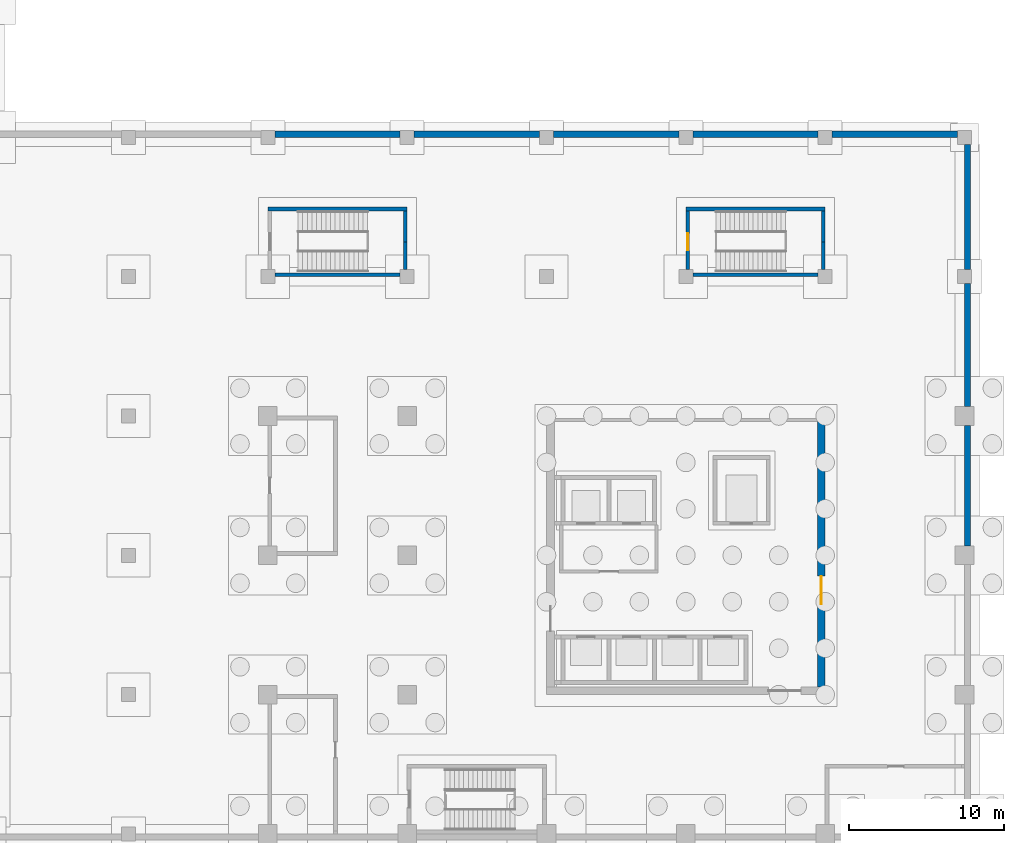
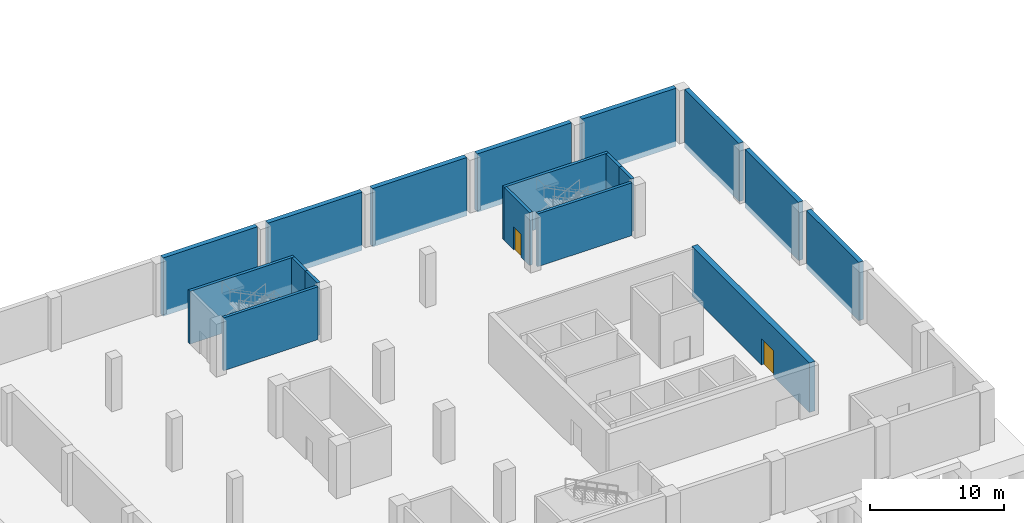
# One storey, part 13 of 17: 18 walls, 2 doors, 2 openings.
"""IFC4 building model written with IfcOpenShell, lengths in metres."""

from ifc_helpers import new_model, si_unit, direction, frame, frame_2d, origin, place, context, subcontext, project, spatial, rectangle, extrude, material, layer, layer_set, type_object, element, fill, save


model = new_model("IFC4")

# Units and contexts
model_context = context("Model", 3, precision=1e-05, world=origin(), true_north=direction((0.0, 1.0)))
body_context = subcontext(model_context, "Body", "Model", "MODEL_VIEW")
ifc_project = project(units=[si_unit("LENGTHUNIT", "METRE"), si_unit("AREAUNIT", "SQUARE_METRE"), si_unit("VOLUMEUNIT", "CUBIC_METRE"), si_unit("PLANEANGLEUNIT", "RADIAN"), si_unit("MASSUNIT", "GRAM", prefix="KILO")], contexts=[model_context])

# Site, building, storey
site_placement = place(None, origin())
site = spatial("IfcSite", under=ifc_project, at=site_placement, CompositionType="ELEMENT")
building_placement = place(site_placement, origin())
building = spatial("IfcBuilding", under=site, at=building_placement, Name="Guidao Yard Department Store", CompositionType="ELEMENT")
storey_placement = place(building_placement, frame((0.0, 0.0, -9.89990234375)))
storey = spatial("IfcBuildingStorey", under=building, at=storey_placement, Name="B2", CompositionType="ELEMENT", Elevation=-9.89990234375)

# Walls
ifc_material_1 = material(Name="Concrete C40", Category="concrete")
ifc_layer_1 = layer(ifc_material_1, 0.39990234375)
ifc_layer_set_1 = layer_set([ifc_layer_1], Name="Retaining wall 400 C40")
wall_type_1 = type_object("IfcWallType", Name="Retaining wall 400 C40", PredefinedType="SOLIDWALL", material=ifc_layer_set_1)
wall_1_placement = place(storey_placement, frame((171.199951171875, 18.60009765625, -0.5), z_axis=(0.0, 0.0, 1.0), x_axis=(0.0, 1.0, 0.0)))
element("IfcWall", 1, at=wall_1_placement, inside=storey, type_object=wall_type_1, Name="Retaining wall B2-013", PredefinedType="SOLIDWALL", context=body_context, shape_type="SweptSolid", body=[
    extrude(rectangle(XDim=7.7998046875, YDim=0.39990234375, at=frame_2d((3.89990234375, 0.0))), origin(), (0.0, 0.0, 1.0), 5.2998046875),
])
wall_2_placement = place(storey_placement, frame((171.199951171875, 27.60009765625, -0.5), z_axis=(0.0, 0.0, 1.0), x_axis=(0.0, 1.0, 0.0)))
element("IfcWall", 2, at=wall_2_placement, inside=storey, type_object=wall_type_1, Name="Retaining wall B2-015", PredefinedType="SOLIDWALL", context=body_context, shape_type="SweptSolid", body=[
    extrude(rectangle(XDim=7.949951171875, YDim=0.39990234375, at=frame_2d((3.97509765625, 0.0))), origin(), (0.0, 0.0, 1.0), 5.2998046875),
])
for number, where, z_axis, x_axis, name in (
    (3, (171.199951171875, 36.449951171875, -0.5), (0.0, 0.0, 1.0), (0.0, 1.0, 0.0), "Retaining wall B2-017"),
    (4, (126.449951171875, 45.199951171875, -0.5), (0.0, 0.0, 1.0), (1.0, 0.0, 0.0), "Retaining wall B2-031"),
    (5, (135.449951171875, 45.199951171875, -0.5), (0.0, 0.0, 1.0), (1.0, 0.0, 0.0), "Retaining wall B2-032"),
    (6, (144.449951171875, 45.199951171875, -0.5), (0.0, 0.0, 1.0), (1.0, 0.0, 0.0), "Retaining wall B2-033"),
    (7, (153.449951171875, 45.199951171875, -0.5), (0.0, 0.0, 1.0), (1.0, 0.0, 0.0), "Retaining wall B2-034"),
    (8, (162.449951171875, 45.199951171875, -0.5), (0.0, 0.0, 1.0), (1.0, 0.0, 0.0), "Retaining wall B2-035"),
):
    element("IfcWall", number, at=place(storey_placement, frame(where, z_axis=z_axis, x_axis=x_axis)), inside=storey, type_object=wall_type_1, Name=name, PredefinedType="SOLIDWALL", context=body_context, shape_type="SweptSolid", body=[
        extrude(rectangle(XDim=8.10009765625, YDim=0.39990234375, at=frame_2d((4.050048828125, 0.0))), origin(), (0.0, 0.0, 1.0), 5.2998046875),
    ])

# Wall, opening, door
ifc_material_2 = material(Name="Concrete C60", Category="concrete")
ifc_layer_2 = layer(ifc_material_2, 0.5)
ifc_layer_set_2 = layer_set([ifc_layer_2], Name="Shear Wall 500 Concrete C60")
wall_type_2 = type_object("IfcWallType", Name="Shear Wall 500 Concrete C60", PredefinedType="SHEAR", material=ifc_layer_set_2)
wall_3_placement = place(storey_placement, frame((161.75, 9.5, 0.0), z_axis=(0.0, 0.0, 1.0), x_axis=(0.0, 1.0, 0.0)))
wall_3 = element("IfcWall", 9, at=wall_3_placement, inside=storey, type_object=wall_type_2, Name="pt.wall.B2.0075", PredefinedType="SHEAR", context=body_context, shape_type="SweptSolid", body=[
    extrude(rectangle(XDim=17.5, YDim=0.5, at=frame_2d((8.75, 0.0))), origin(), (0.0, 0.0, 1.0), 4.5),
])
opening_1_placement = place(wall_3_placement, frame((5.35009765625, 0.0, 0.0)))
opening_1 = element("IfcOpeningElement", 10, at=opening_1_placement, cuts=wall_3, Name="Opening B2-402", PredefinedType="OPENING", context=body_context, shape_type="SweptSolid", body=[
    extrude(rectangle(XDim=1.800048828125, YDim=2.39990234375, at=frame_2d((0.89990234375, 1.199951171875))), frame((0.0, 0.260009765625, 0.0), z_axis=(0.0, -1.0, 0.0), x_axis=(1.0, 0.0, 0.0)), (0.0, 0.0, 1.0), 0.52001953125),
])
ifc_material_3 = material(Name="Timber door leaf with Steel Q235 frame", Category="steel")
door_type_1 = type_object("IfcDoorType", Name="Door 1800 x 2400 FD60 Double Leaf", OperationType="DOUBLE_DOOR_SINGLE_SWING", PredefinedType="DOOR", material=ifc_material_3)
door_1_placement = place(opening_1_placement, origin())
door_1 = element("IfcDoor", 11, at=door_1_placement, inside=storey, type_object=door_type_1, Name="Door B2-402", OperationType="DOUBLE_DOOR_SINGLE_SWING", OverallHeight=2.39990234375, OverallWidth=1.800048828125, PredefinedType="DOOR", context=body_context, shape_type="SweptSolid", body=[
    extrude(rectangle(XDim=1.800048828125, YDim=2.39990234375, at=frame_2d((0.89990234375, 1.199951171875))), frame((0.0, 0.02490234375, 0.0), z_axis=(0.0, -1.0, 0.0), x_axis=(1.0, 0.0, 0.0)), (0.0, 0.0, 1.0), 0.050048828125),
])
fill(opening_1, door_1)

# Walls
ifc_material_4 = material(Name="Concrete C40", Category="concrete")
ifc_layer_3 = layer(ifc_material_4, 0.25)
ifc_layer_set_3 = layer_set([ifc_layer_3], Name="Wall RC 250 C40 stair and shaft")
wall_type_3 = type_object("IfcWallType", Name="Wall RC 250 C40 stair and shaft", PredefinedType="SHEAR", material=ifc_layer_set_3)
wall_4_placement = place(storey_placement, frame((126.449951171875, 36.125, 0.0), z_axis=(0.0, 0.0, 1.0), x_axis=(1.0, 0.0, 0.0)))
element("IfcWall", 12, at=wall_4_placement, inside=storey, type_object=wall_type_3, Name="Stair wall BSY1", PredefinedType="SHEAR", context=body_context, shape_type="SweptSolid", body=[
    extrude(rectangle(XDim=8.10009765625, YDim=0.25, at=frame_2d((4.050048828125, 0.0))), origin(), (0.0, 0.0, 1.0), 4.7998046875),
])
wall_5_placement = place(storey_placement, frame((126.0, 40.375, 0.0), z_axis=(0.0, 0.0, 1.0), x_axis=(1.0, 0.0, 0.0)))
element("IfcWall", 13, at=wall_5_placement, inside=storey, type_object=wall_type_3, Name="Stair wall BSY1", PredefinedType="SHEAR", context=body_context, shape_type="SweptSolid", body=[
    extrude(rectangle(XDim=9.0, YDim=0.25, at=frame_2d((4.5, 0.0))), origin(), (0.0, 0.0, 1.0), 4.7998046875),
])
wall_6_placement = place(storey_placement, frame((134.875, 36.449951171875, 0.0), z_axis=(0.0, 0.0, 1.0), x_axis=(0.0, 1.0, 0.0)))
element("IfcWall", 14, at=wall_6_placement, inside=storey, type_object=wall_type_3, Name="Stair wall BSY1", PredefinedType="SHEAR", context=body_context, shape_type="SweptSolid", body=[
    extrude(rectangle(XDim=1.800048828125, YDim=0.25, at=frame_2d((0.89990234375, 0.0))), origin(), (0.0, 0.0, 1.0), 4.7998046875),
])
wall_7_placement = place(storey_placement, frame((134.875, 38.25, 0.0), z_axis=(0.0, 0.0, 1.0), x_axis=(0.0, 1.0, 0.0)))
element("IfcWall", 15, at=wall_7_placement, inside=storey, type_object=wall_type_3, Name="Stair wall BSY1", PredefinedType="SHEAR", context=body_context, shape_type="SweptSolid", body=[
    extrude(rectangle(XDim=2.0, YDim=0.25, at=frame_2d((1.0, 0.0))), origin(), (0.0, 0.0, 1.0), 4.7998046875),
])
wall_8_placement = place(storey_placement, frame((153.449951171875, 36.125, 0.0), z_axis=(0.0, 0.0, 1.0), x_axis=(1.0, 0.0, 0.0)))
element("IfcWall", 16, at=wall_8_placement, inside=storey, type_object=wall_type_3, Name="Stair wall BSY2", PredefinedType="SHEAR", context=body_context, shape_type="SweptSolid", body=[
    extrude(rectangle(XDim=8.10009765625, YDim=0.25, at=frame_2d((4.050048828125, 0.0))), origin(), (0.0, 0.0, 1.0), 4.7998046875),
])
wall_9_placement = place(storey_placement, frame((153.0, 40.375, 0.0), z_axis=(0.0, 0.0, 1.0), x_axis=(1.0, 0.0, 0.0)))
element("IfcWall", 17, at=wall_9_placement, inside=storey, type_object=wall_type_3, Name="Stair wall BSY2", PredefinedType="SHEAR", context=body_context, shape_type="SweptSolid", body=[
    extrude(rectangle(XDim=9.0, YDim=0.25, at=frame_2d((4.5, 0.0))), origin(), (0.0, 0.0, 1.0), 4.7998046875),
])

# Wall, opening, door
wall_10_placement = place(storey_placement, frame((153.125, 36.449951171875, 0.0), z_axis=(0.0, 0.0, 1.0), x_axis=(0.0, 1.0, 0.0)))
wall_10 = element("IfcWall", 18, at=wall_10_placement, inside=storey, type_object=wall_type_3, Name="Stair wall BSY2", PredefinedType="SHEAR", context=body_context, shape_type="SweptSolid", body=[
    extrude(rectangle(XDim=3.800048828125, YDim=0.25, at=frame_2d((1.89990234375, 0.0))), origin(), (0.0, 0.0, 1.0), 4.7998046875),
])
opening_2_placement = place(wall_10_placement, frame((2.35009765625, 0.0, 0.0), z_axis=(0.0, 0.0, 1.0), x_axis=(-1.0, 0.0, 0.0)))
opening_2 = element("IfcOpeningElement", 19, at=opening_2_placement, cuts=wall_10, Name="Opening B2-807", PredefinedType="OPENING", context=body_context, shape_type="SweptSolid", body=[
    extrude(rectangle(XDim=1.10009765625, YDim=2.10009765625, at=frame_2d((0.550048828125, 1.050048828125))), frame((0.0, 0.135009765625, 0.0), z_axis=(0.0, -1.0, 0.0), x_axis=(1.0, 0.0, 0.0)), (0.0, 0.0, 1.0), 0.27001953125),
])
ifc_material_5 = material(Name="Steel Q235", Category="steel")
door_type_2 = type_object("IfcDoorType", Name="Door fire-resisting 1100 x 2100 FD60", OperationType="SINGLE_SWING_LEFT", PredefinedType="DOOR", material=ifc_material_5)
door_2_placement = place(opening_2_placement, origin())
door_2 = element("IfcDoor", 20, at=door_2_placement, inside=storey, type_object=door_type_2, Name="Basement stair Y2 door B2", OperationType="SINGLE_SWING_RIGHT", OverallHeight=2.10009765625, OverallWidth=1.10009765625, PredefinedType="DOOR", context=body_context, shape_type="SweptSolid", body=[
    extrude(rectangle(XDim=1.10009765625, YDim=2.10009765625, at=frame_2d((0.550048828125, 1.050048828125))), frame((0.0, 0.02490234375, 0.0), z_axis=(0.0, -1.0, 0.0), x_axis=(1.0, 0.0, 0.0)), (0.0, 0.0, 1.0), 0.050048828125),
])
fill(opening_2, door_2)

# Walls
wall_11_placement = place(storey_placement, frame((161.875, 36.449951171875, 0.0), z_axis=(0.0, 0.0, 1.0), x_axis=(0.0, 1.0, 0.0)))
element("IfcWall", 21, at=wall_11_placement, inside=storey, type_object=wall_type_3, Name="Stair wall BSY2", PredefinedType="SHEAR", context=body_context, shape_type="SweptSolid", body=[
    extrude(rectangle(XDim=1.800048828125, YDim=0.25, at=frame_2d((0.89990234375, 0.0))), origin(), (0.0, 0.0, 1.0), 4.7998046875),
])
wall_12_placement = place(storey_placement, frame((161.875, 38.25, 0.0), z_axis=(0.0, 0.0, 1.0), x_axis=(0.0, 1.0, 0.0)))
element("IfcWall", 22, at=wall_12_placement, inside=storey, type_object=wall_type_3, Name="Stair wall BSY2", PredefinedType="SHEAR", context=body_context, shape_type="SweptSolid", body=[
    extrude(rectangle(XDim=2.0, YDim=0.25, at=frame_2d((1.0, 0.0))), origin(), (0.0, 0.0, 1.0), 4.7998046875),
])

save(model, "model.ifc")
